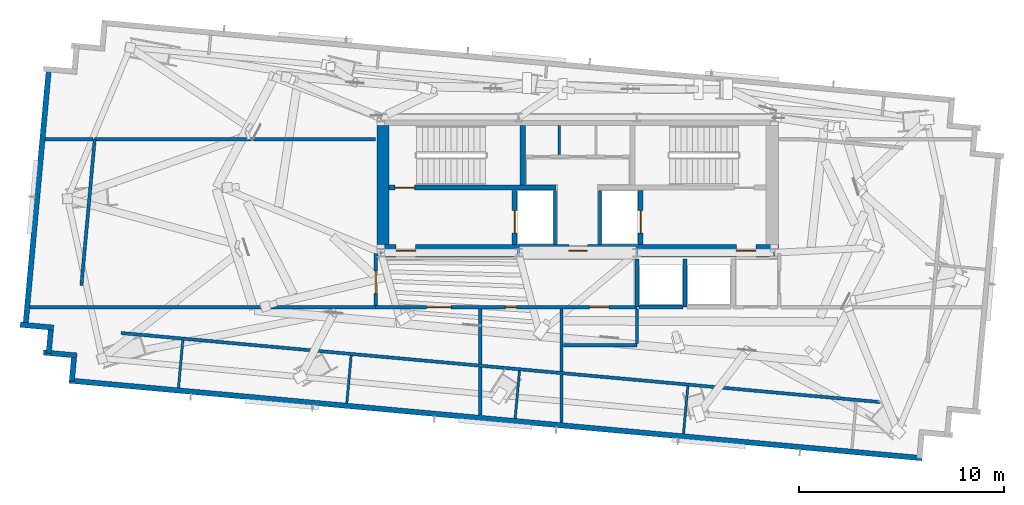
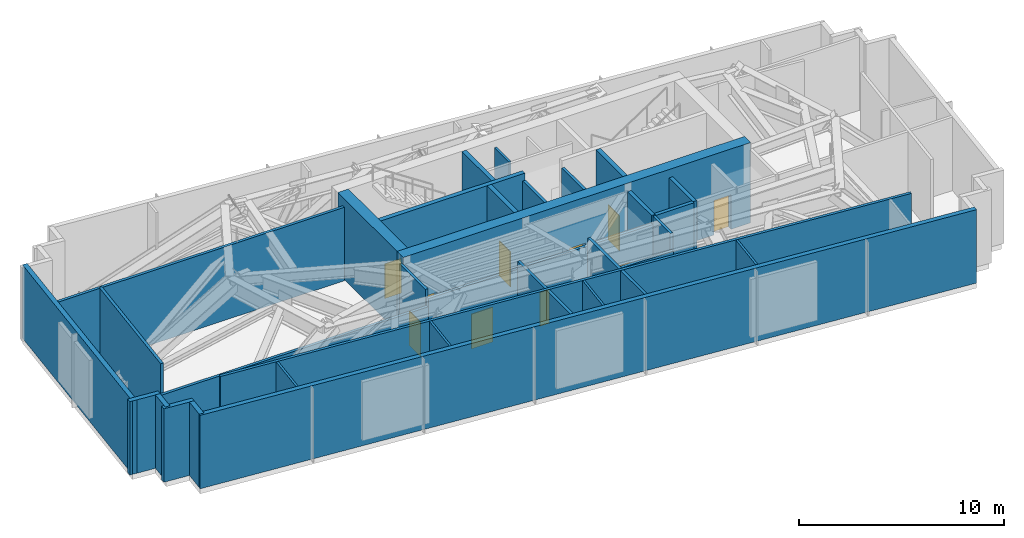
# One storey, part 5 of 9: 35 walls, 10 doors, 10 openings.
"""IFC4 building model written with IfcOpenShell, lengths in metres."""

from ifc_helpers import new_model, si_unit, direction, frame, frame_2d, origin, place, context, subcontext, project, spatial, rectangle, extrude, source, transform, mapped, material, layer, layer_set, type_object, type_shapes, element, fill, save


model = new_model("IFC4")

# Units and contexts
model_context = context("Model", 3, precision=1e-05, world=origin(), true_north=direction((0.0, 1.0)))
body_context = subcontext(model_context, "Body", "Model", "MODEL_VIEW")
ifc_project = project(units=[si_unit("LENGTHUNIT", "METRE"), si_unit("AREAUNIT", "SQUARE_METRE"), si_unit("VOLUMEUNIT", "CUBIC_METRE"), si_unit("PLANEANGLEUNIT", "RADIAN"), si_unit("MASSUNIT", "GRAM", prefix="KILO")], contexts=[model_context])

# Site, building, storey
site_placement = place(None, origin())
site = spatial("IfcSite", under=ifc_project, at=site_placement, CompositionType="ELEMENT")
building_placement = place(site_placement, origin())
building = spatial("IfcBuilding", under=site, at=building_placement, Name="Astriad Promenade Condominiums", CompositionType="ELEMENT")
storey_placement = place(building_placement, frame((0.0, 0.0, 259.5)))
storey = spatial("IfcBuildingStorey", under=building, at=storey_placement, Name="L75", CompositionType="ELEMENT", Elevation=259.5)

# Wall, openings, doors
ifc_material_1 = material(Name="Concrete C50/60", Category="concrete")
ifc_layer_1 = layer(ifc_material_1, 0.60009765625)
ifc_layer_set_1 = layer_set([ifc_layer_1], Name="Concrete C50/60")
wall_type_1 = type_object("IfcWallType", Name="CW-SHEAR-600", PredefinedType="SHEAR", material=ifc_layer_set_1)
wall_1_placement = place(storey_placement, frame((26.199951171875, 17.5, 0.0), z_axis=(0.0, 0.0, 1.0), x_axis=(1.0, 0.0, 0.0)))
wall_1 = element("IfcWall", 1, at=wall_1_placement, inside=storey, type_object=wall_type_1, Name="CW-CORE-S-L75", PredefinedType="SHEAR", context=body_context, shape_type="SweptSolid", body=[
    extrude(rectangle(XDim=19.60009765625, YDim=0.60009765625, at=frame_2d((9.800048828125, 0.0))), origin(), (0.0, 0.0, 1.0), 4.800048828125),
])
opening_1_placement = place(wall_1_placement, frame((0.949951171875, 0.0, 0.0)))
opening_1 = element("IfcOpeningElement", 2, at=opening_1_placement, cuts=wall_1, Name="Opening FD90-ST-095", PredefinedType="OPENING", context=body_context, shape_type="SweptSolid", body=[
    extrude(rectangle(XDim=0.949951171875, YDim=2.06005859375, at=frame_2d((0.47509765625, 1.030029296875))), frame((0.0, 0.31005859375, 0.0), z_axis=(0.0, -1.0, 0.0), x_axis=(1.0, 0.0, 0.0)), (0.0, 0.0, 1.0), 0.6201171875),
])
opening_2_placement = place(wall_1_placement, frame((9.3798828125, 0.0, 0.0)))
opening_2 = element("IfcOpeningElement", 3, at=opening_2_placement, cuts=wall_1, Name="Opening FD60-CSL-090", PredefinedType="OPENING", context=body_context, shape_type="SweptSolid", body=[
    extrude(rectangle(XDim=0.89990234375, YDim=2.06005859375, at=frame_2d((0.449951171875, 1.030029296875))), frame((0.0, 0.31005859375, 0.0), z_axis=(0.0, -1.0, 0.0), x_axis=(1.0, 0.0, 0.0)), (0.0, 0.0, 1.0), 0.6201171875),
])
opening_3_placement = place(wall_1_placement, frame((17.550048828125, 0.0, 0.0)))
opening_3 = element("IfcOpeningElement", 4, at=opening_3_placement, cuts=wall_1, Name="Opening FD90-ST-095", PredefinedType="OPENING", context=body_context, shape_type="SweptSolid", body=[
    extrude(rectangle(XDim=0.949951171875, YDim=2.06005859375, at=frame_2d((0.47509765625, 1.030029296875))), frame((0.0, 0.31005859375, 0.0), z_axis=(0.0, -1.0, 0.0), x_axis=(1.0, 0.0, 0.0)), (0.0, 0.0, 1.0), 0.6201171875),
])
ifc_material_2 = material(Name="Fire-Rated Hollow Metal Stair Door")
door_type_1 = type_object("IfcDoorType", Name="FD90-ST-095", OperationType="NOTDEFINED", PredefinedType="DOOR", material=ifc_material_2)
shared_shape_1 = source(origin(), body_context, "Body", "SweptSolid", [
    extrude(rectangle(XDim=0.949951171875, YDim=2.06005859375, at=frame_2d((0.47509765625, 1.030029296875))), frame((0.0, 0.02490234375, 0.0), z_axis=(0.0, -1.0, 0.0), x_axis=(1.0, 0.0, 0.0)), (0.0, 0.0, 1.0), 0.050048828125),
])
type_shapes(door_type_1, [shared_shape_1])
door_1_placement = place(opening_1_placement, origin())
door_1 = element("IfcDoor", 5, at=door_1_placement, inside=storey, type_object=door_type_1, Name="D-FFW-L75", OperationType="SINGLE_SWING_LEFT", OverallHeight=2.06005859375, OverallWidth=0.949951171875, PredefinedType="DOOR", context=body_context, shape_type="MappedRepresentation", body=[
    mapped(shared_shape_1, transform((0.0, 0.0, 0.0), scale=1.0)),
])
fill(opening_1, door_1)
door_2_placement = place(opening_3_placement, origin())
door_2 = element("IfcDoor", 6, at=door_2_placement, inside=storey, type_object=door_type_1, Name="D-FFE-L75", OperationType="SINGLE_SWING_RIGHT", OverallHeight=2.06005859375, OverallWidth=0.949951171875, PredefinedType="DOOR", context=body_context, shape_type="MappedRepresentation", body=[
    mapped(shared_shape_1, transform((0.0, 0.0, 0.0), scale=1.0)),
])
fill(opening_3, door_2)
ifc_material_3 = material(Name="Fire-Rated Service Lobby Door")
door_type_2 = type_object("IfcDoorType", Name="FD60-CSL-090", OperationType="NOTDEFINED", PredefinedType="DOOR", material=ifc_material_3)
shared_shape_2 = source(origin(), body_context, "Body", "SweptSolid", [
    extrude(rectangle(XDim=0.89990234375, YDim=2.06005859375, at=frame_2d((0.449951171875, 1.030029296875))), frame((0.0, 0.02490234375, 0.0), z_axis=(0.0, -1.0, 0.0), x_axis=(1.0, 0.0, 0.0)), (0.0, 0.0, 1.0), 0.050048828125),
])
type_shapes(door_type_2, [shared_shape_2])
door_3_placement = place(opening_2_placement, origin())
door_3 = element("IfcDoor", 7, at=door_3_placement, inside=storey, type_object=door_type_2, Name="D-CSL-L75", OperationType="SINGLE_SWING_RIGHT", OverallHeight=2.06005859375, OverallWidth=0.89990234375, PredefinedType="DOOR", context=body_context, shape_type="MappedRepresentation", body=[
    mapped(shared_shape_2, transform((0.0, 0.0, 0.0), scale=1.0)),
])
fill(opening_2, door_3)

# Wall
wall_2_placement = place(storey_placement, frame((26.5, 17.802001953125, 0.0), z_axis=(0.0, 0.0, 1.0), x_axis=(0.0, 1.0, 0.0)))
element("IfcWall", 8, at=wall_2_placement, inside=storey, type_object=wall_type_1, Name="CW-CORE-W-L75", PredefinedType="SHEAR", context=body_context, shape_type="SweptSolid", body=[
    extrude(rectangle(XDim=5.7958984375, YDim=0.60009765625, at=frame_2d((2.89794921875, 0.0))), origin(), (0.0, 0.0, 1.0), 4.800048828125),
])

# Wall, opening, door
ifc_layer_2 = layer(ifc_material_1, 0.25)
ifc_layer_set_2 = layer_set([ifc_layer_2], Name="Concrete C50/60")
wall_type_2 = type_object("IfcWallType", Name="WALL-CORE-INT-250", PredefinedType="SOLIDWALL", material=ifc_layer_set_2)
wall_3_placement = place(storey_placement, frame((26.802001953125, 20.574951171875, 0.0), z_axis=(0.0, 0.0, 1.0), x_axis=(1.0, 0.0, 0.0)))
wall_3 = element("IfcWall", 9, at=wall_3_placement, inside=storey, type_object=wall_type_2, Name="CW-INT-H1-L75", PredefinedType="SOLIDWALL", context=body_context, shape_type="SweptSolid", body=[
    extrude(rectangle(XDim=8.14794921875, YDim=0.25, at=frame_2d((4.073974609375, 0.0))), origin(), (0.0, 0.0, 1.0), 4.800048828125),
])
opening_4_placement = place(wall_3_placement, frame((0.298095703125, 0.0, 0.0)))
opening_4 = element("IfcOpeningElement", 10, at=opening_4_placement, cuts=wall_3, Name="Opening FD90-ST-095", PredefinedType="OPENING", context=body_context, shape_type="SweptSolid", body=[
    extrude(rectangle(XDim=0.949951171875, YDim=2.06005859375, at=frame_2d((0.47509765625, 1.030029296875))), frame((0.0, 0.135009765625, 0.0), z_axis=(0.0, -1.0, 0.0), x_axis=(1.0, 0.0, 0.0)), (0.0, 0.0, 1.0), 0.27001953125),
])
door_4_placement = place(opening_4_placement, origin())
door_4 = element("IfcDoor", 11, at=door_4_placement, inside=storey, type_object=door_type_1, Name="D-ST1-L75", OperationType="SINGLE_SWING_RIGHT", OverallHeight=2.06005859375, OverallWidth=0.949951171875, PredefinedType="DOOR", context=body_context, shape_type="MappedRepresentation", body=[
    mapped(shared_shape_1, transform((0.0, 0.0, 0.0), scale=1.0)),
])
fill(opening_4, door_4)

# Wall
wall_4_placement = place(storey_placement, frame((33.324951171875, 20.701904296875, 0.0), z_axis=(0.0, 0.0, 1.0), x_axis=(0.0, 1.0, 0.0)))
element("IfcWall", 12, at=wall_4_placement, inside=storey, type_object=wall_type_2, Name="CW-ST1-E-L75", PredefinedType="SOLIDWALL", context=body_context, shape_type="SweptSolid", body=[
    extrude(rectangle(XDim=2.89599609375, YDim=0.25, at=frame_2d((1.447998046875, 0.0))), origin(), (0.0, 0.0, 1.0), 4.800048828125),
])

# Wall, opening, door
wall_5_placement = place(storey_placement, frame((32.925048828125, 17.802001953125, 0.0), z_axis=(0.0, 0.0, 1.0), x_axis=(0.0, 1.0, 0.0)))
wall_5 = element("IfcWall", 13, at=wall_5_placement, inside=storey, type_object=wall_type_2, Name="CW-FFL1-W-L75", PredefinedType="SOLIDWALL", context=body_context, shape_type="SweptSolid", body=[
    extrude(rectangle(XDim=2.64599609375, YDim=0.25, at=frame_2d((1.322998046875, 0.0))), origin(), (0.0, 0.0, 1.0), 4.800048828125),
])
opening_5_placement = place(wall_5_placement, frame((0.548095703125, 0.0, 0.0)))
opening_5 = element("IfcOpeningElement", 14, at=opening_5_placement, cuts=wall_5, Name="Opening LD-FFL-1122", PredefinedType="OPENING", context=body_context, shape_type="SweptSolid", body=[
    extrude(rectangle(XDim=1.10009765625, YDim=2.080078125, at=frame_2d((0.550048828125, 1.0400390625))), frame((0.0, 0.135009765625, 0.0), z_axis=(0.0, -1.0, 0.0), x_axis=(1.0, 0.0, 0.0)), (0.0, 0.0, 1.0), 0.27001953125),
])
ifc_material_4 = material(Name="Brushed Stainless Steel Fire Elevator Landing Door", Category="steel")
door_type_3 = type_object("IfcDoorType", Name="LD-FFL-1122", OperationType="NOTDEFINED", PredefinedType="DOOR", material=ifc_material_4)
shared_shape_3 = source(origin(), body_context, "Body", "SweptSolid", [
    extrude(rectangle(XDim=1.10009765625, YDim=2.080078125, at=frame_2d((0.550048828125, 1.0400390625))), frame((0.0, 0.02490234375, 0.0), z_axis=(0.0, -1.0, 0.0), x_axis=(1.0, 0.0, 0.0)), (0.0, 0.0, 1.0), 0.050048828125),
])
type_shapes(door_type_3, [shared_shape_3])
door_5_placement = place(opening_5_placement, origin())
door_5 = element("IfcDoor", 15, at=door_5_placement, inside=storey, type_object=door_type_3, Name="Elevator Landing Door FFL-1 (L75)", OperationType="SLIDING_TO_LEFT", OverallHeight=2.080078125, OverallWidth=1.10009765625, PredefinedType="DOOR", context=body_context, shape_type="MappedRepresentation", body=[
    mapped(shared_shape_3, transform((0.0, 0.0, 0.0), scale=1.0)),
])
fill(opening_5, door_5)

wall_6_placement = place(storey_placement, frame((39.074951171875, 17.802001953125, 0.0), z_axis=(0.0, 0.0, 1.0), x_axis=(0.0, 1.0, 0.0)))
wall_6 = element("IfcWall", 16, at=wall_6_placement, inside=storey, type_object=wall_type_2, Name="CW-FFL2-E-L75", PredefinedType="SOLIDWALL", context=body_context, shape_type="SweptSolid", body=[
    extrude(rectangle(XDim=2.64599609375, YDim=0.25, at=frame_2d((1.322998046875, 0.0))), origin(), (0.0, 0.0, 1.0), 4.800048828125),
])
opening_6_placement = place(wall_6_placement, frame((0.548095703125, 0.0, 0.0)))
opening_6 = element("IfcOpeningElement", 17, at=opening_6_placement, cuts=wall_6, Name="Opening LD-FFL-1122", PredefinedType="OPENING", context=body_context, shape_type="SweptSolid", body=[
    extrude(rectangle(XDim=1.10009765625, YDim=2.080078125, at=frame_2d((0.550048828125, 1.0400390625))), frame((0.0, 0.135009765625, 0.0), z_axis=(0.0, -1.0, 0.0), x_axis=(1.0, 0.0, 0.0)), (0.0, 0.0, 1.0), 0.27001953125),
])
door_6_placement = place(opening_6_placement, origin())
door_6 = element("IfcDoor", 18, at=door_6_placement, inside=storey, type_object=door_type_3, Name="Elevator Landing Door FFL-2 (L75)", OperationType="SLIDING_TO_RIGHT", OverallHeight=2.080078125, OverallWidth=1.10009765625, PredefinedType="DOOR", context=body_context, shape_type="MappedRepresentation", body=[
    mapped(shared_shape_3, transform((0.0, 0.0, 0.0), scale=1.0)),
])
fill(opening_6, door_6)

# Walls
ifc_material_5 = material(Name="Fire-Rated Gypsum Partition")
ifc_layer_3 = layer(ifc_material_5, 0.159912109375)
ifc_layer_set_3 = layer_set([ifc_layer_3], Name="Fire-Rated Gypsum Partition")
wall_type_3 = type_object("IfcWallType", Name="WALL-CORR-160", PredefinedType="PARTITIONING", material=ifc_layer_set_3)
for number, where, z_axis, x_axis, name in (
    (19, (34.89990234375, 17.802001953125, 0.0), (0.0, 0.0, 1.0), (0.0, 1.0, 0.0), "CW-FFL1-E-L75"),
    (20, (37.10009765625, 17.802001953125, 0.0), (0.0, 0.0, 1.0), (0.0, 1.0, 0.0), "CW-FFL2-W-L75"),
):
    element("IfcWall", number, at=place(storey_placement, frame(where, z_axis=z_axis, x_axis=x_axis)), inside=storey, type_object=wall_type_3, Name=name, PredefinedType="PARTITIONING", context=body_context, shape_type="SweptSolid", body=[
        extrude(rectangle(XDim=2.64599609375, YDim=0.159912109375, at=frame_2d((1.322998046875, 0.0))), origin(), (0.0, 0.0, 1.0), 4.3798828125),
    ])
wall_7_placement = place(storey_placement, frame((11.783935546875, 15.799072265625, 0.0), z_axis=(0.0, 0.0, 1.0), x_axis=(0.090670822369, 0.995880917565, 0.0)))
element("IfcWall", 21, at=wall_7_placement, inside=storey, type_object=wall_type_3, Name="PT-L75-BTR-01", PredefinedType="PARTITIONING", context=body_context, shape_type="SweptSolid", body=[
    extrude(rectangle(XDim=7.17041015625, YDim=0.159912109375, at=frame_2d((3.585205078125, 0.0))), origin(), (0.0, 0.0, 1.0), 4.3798828125),
])
wall_8_placement = place(storey_placement, frame((50.756103515625, 10.110107421875, 0.0), z_axis=(0.0, 0.0, 1.0), x_axis=(-0.995884755063, 0.090628663414, 0.0)))
element("IfcWall", 22, at=wall_8_placement, inside=storey, type_object=wall_type_3, Name="PT-L75-BTR-04", PredefinedType="PARTITIONING", context=body_context, shape_type="SweptSolid", body=[
    extrude(rectangle(XDim=37.194091796875, YDim=0.159912109375, at=frame_2d((18.59716796875, 0.0))), origin(), (0.0, 0.0, 1.0), 4.3798828125),
])
wall_9_placement = place(storey_placement, frame((10.01611328125, 22.93994140625, 0.0), z_axis=(0.0, 0.0, 1.0), x_axis=(1.0, 0.0, 0.0)))
element("IfcWall", 23, at=wall_9_placement, inside=storey, type_object=wall_type_3, Name="PT-L75-OUTW", PredefinedType="PARTITIONING", context=body_context, shape_type="SweptSolid", body=[
    extrude(rectangle(XDim=2.335693359375, YDim=0.159912109375, at=frame_2d((1.16796875, 0.0))), origin(), (0.0, 0.0, 1.0), 4.3798828125),
])
wall_10_placement = place(storey_placement, frame((12.43408203125, 22.93994140625, 0.0), z_axis=(0.0, 0.0, 1.0), x_axis=(1.0, 0.0, 0.0)))
element("IfcWall", 24, at=wall_10_placement, inside=storey, type_object=wall_type_3, Name="PT-L75-OUTW-S2", PredefinedType="PARTITIONING", context=body_context, shape_type="SweptSolid", body=[
    extrude(rectangle(XDim=13.7158203125, YDim=0.159912109375, at=frame_2d((6.85791015625, 0.0))), origin(), (0.0, 0.0, 1.0), 4.3798828125),
])

# Wall, openings, doors
wall_11_placement = place(storey_placement, frame((26.14990234375, 14.739990234375, 0.0), z_axis=(0.0, 0.0, 1.0), x_axis=(1.0, 0.0, 0.0)))
wall_11 = element("IfcWall", 25, at=wall_11_placement, inside=storey, type_object=wall_type_3, Name="PT-L75-PCS", PredefinedType="PARTITIONING", context=body_context, shape_type="SweptSolid", body=[
    extrude(rectangle(XDim=12.75, YDim=0.159912109375, at=frame_2d((6.375, 0.0))), origin(), (0.0, 0.0, 1.0), 3.89599609375),
])
opening_7_placement = place(wall_11_placement, frame((2.47998046875, 0.0, 0.0)))
opening_7 = element("IfcOpeningElement", 26, at=opening_7_placement, cuts=wall_11, Name="Opening FD90-PLT-1222", PredefinedType="OPENING", context=body_context, shape_type="SweptSolid", body=[
    extrude(rectangle(XDim=1.199951171875, YDim=2.080078125, at=frame_2d((0.60009765625, 1.0400390625))), frame((0.0, 0.08984375, 0.0), z_axis=(0.0, -1.0, 0.0), x_axis=(1.0, 0.0, 0.0)), (0.0, 0.0, 1.0), 0.179931640625),
])
opening_8_placement = place(wall_11_placement, frame((6.324951171875, 0.0, 0.0)))
opening_8 = element("IfcOpeningElement", 27, at=opening_8_placement, cuts=wall_11, Name="Opening FD60-AC-055", PredefinedType="OPENING", context=body_context, shape_type="SweptSolid", body=[
    extrude(rectangle(XDim=0.550048828125, YDim=2.02001953125, at=frame_2d((0.27490234375, 1.010009765625))), frame((0.0, 0.08984375, 0.0), z_axis=(0.0, -1.0, 0.0), x_axis=(1.0, 0.0, 0.0)), (0.0, 0.0, 1.0), 0.179931640625),
])
opening_9_placement = place(wall_11_placement, frame((10.425048828125, 0.0, 0.0)))
opening_9 = element("IfcOpeningElement", 28, at=opening_9_placement, cuts=wall_11, Name="Opening D-WET-095", PredefinedType="OPENING", context=body_context, shape_type="SweptSolid", body=[
    extrude(rectangle(XDim=0.949951171875, YDim=2.10009765625, at=frame_2d((0.47509765625, 1.050048828125))), frame((0.0, 0.08984375, 0.0), z_axis=(0.0, -1.0, 0.0), x_axis=(1.0, 0.0, 0.0)), (0.0, 0.0, 1.0), 0.179931640625),
])
ifc_material_6 = material(Name="Fire-Rated Double-Insulated Plant Door")
door_type_4 = type_object("IfcDoorType", Name="FD90-PLT-1222", OperationType="NOTDEFINED", PredefinedType="DOOR", material=ifc_material_6)
shared_shape_4 = source(origin(), body_context, "Body", "SweptSolid", [
    extrude(rectangle(XDim=1.199951171875, YDim=2.080078125, at=frame_2d((0.60009765625, 1.0400390625))), frame((0.0, 0.02490234375, 0.0), z_axis=(0.0, -1.0, 0.0), x_axis=(1.0, 0.0, 0.0)), (0.0, 0.0, 1.0), 0.050048828125),
])
type_shapes(door_type_4, [shared_shape_4])
door_7_placement = place(opening_7_placement, origin())
door_7 = element("IfcDoor", 29, at=door_7_placement, inside=storey, type_object=door_type_4, Name="D-L75-PL1", OperationType="SINGLE_SWING_LEFT", OverallHeight=2.080078125, OverallWidth=1.199951171875, PredefinedType="DOOR", context=body_context, shape_type="MappedRepresentation", body=[
    mapped(shared_shape_4, transform((0.0, 0.0, 0.0), scale=1.0)),
])
fill(opening_7, door_7)
ifc_material_7 = material(Name="Accessible Restroom Timber Door", Category="wood")
door_type_5 = type_object("IfcDoorType", Name="D-WET-095", OperationType="NOTDEFINED", PredefinedType="DOOR", material=ifc_material_7)
shared_shape_5 = source(origin(), body_context, "Body", "SweptSolid", [
    extrude(rectangle(XDim=0.949951171875, YDim=2.10009765625, at=frame_2d((0.47509765625, 1.050048828125))), frame((0.0, 0.02490234375, 0.0), z_axis=(0.0, -1.0, 0.0), x_axis=(1.0, 0.0, 0.0)), (0.0, 0.0, 1.0), 0.050048828125),
])
type_shapes(door_type_5, [shared_shape_5])
door_8_placement = place(opening_9_placement, origin())
door_8 = element("IfcDoor", 30, at=door_8_placement, inside=storey, type_object=door_type_5, Name="D-L75-AWC", OperationType="SINGLE_SWING_LEFT", OverallHeight=2.10009765625, OverallWidth=0.949951171875, PredefinedType="DOOR", context=body_context, shape_type="MappedRepresentation", body=[
    mapped(shared_shape_5, transform((0.0, 0.0, 0.0), scale=1.0)),
])
fill(opening_9, door_8)
ifc_material_8 = material(Name="Fire-Rated Duct Access Door")
door_type_6 = type_object("IfcDoorType", Name="FD60-AC-055", OperationType="NOTDEFINED", PredefinedType="DOOR", material=ifc_material_8)
shared_shape_6 = source(origin(), body_context, "Body", "SweptSolid", [
    extrude(rectangle(XDim=0.550048828125, YDim=2.02001953125, at=frame_2d((0.27490234375, 1.010009765625))), frame((0.0, 0.02490234375, 0.0), z_axis=(0.0, -1.0, 0.0), x_axis=(1.0, 0.0, 0.0)), (0.0, 0.0, 1.0), 0.050048828125),
])
type_shapes(door_type_6, [shared_shape_6])
door_9_placement = place(opening_8_placement, origin())
door_9 = element("IfcDoor", 31, at=door_9_placement, inside=storey, type_object=door_type_6, Name="D-L75-PL2", OperationType="SINGLE_SWING_RIGHT", OverallHeight=2.02001953125, OverallWidth=0.550048828125, PredefinedType="DOOR", context=body_context, shape_type="MappedRepresentation", body=[
    mapped(shared_shape_6, transform((0.0, 0.0, 0.0), scale=1.0)),
])
fill(opening_8, door_9)

# Wall, opening, door
wall_12_placement = place(storey_placement, frame((26.14990234375, 14.822021484375, 0.0), z_axis=(0.0, 0.0, 1.0), x_axis=(0.0, 1.0, 0.0)))
wall_12 = element("IfcWall", 32, at=wall_12_placement, inside=storey, type_object=wall_type_3, Name="PT-L75-PCW", PredefinedType="PARTITIONING", context=body_context, shape_type="SweptSolid", body=[
    extrude(rectangle(XDim=2.528076171875, YDim=0.159912109375, at=frame_2d((1.26416015625, 0.0))), origin(), (0.0, 0.0, 1.0), 4.3798828125),
])
opening_10_placement = place(wall_12_placement, frame((0.577880859375, 0.0, 0.0)))
opening_10 = element("IfcOpeningElement", 33, at=opening_10_placement, cuts=wall_12, Name="Opening FD90-REF-1121", PredefinedType="OPENING", context=body_context, shape_type="SweptSolid", body=[
    extrude(rectangle(XDim=1.10009765625, YDim=2.06005859375, at=frame_2d((0.550048828125, 1.030029296875))), frame((0.0, 0.08984375, 0.0), z_axis=(0.0, -1.0, 0.0), x_axis=(1.0, 0.0, 0.0)), (0.0, 0.0, 1.0), 0.179931640625),
])
ifc_material_9 = material(Name="Fire-Rated Refuge Door")
door_type_7 = type_object("IfcDoorType", Name="FD90-REF-1121", OperationType="NOTDEFINED", PredefinedType="DOOR", material=ifc_material_9)
shared_shape_7 = source(origin(), body_context, "Body", "SweptSolid", [
    extrude(rectangle(XDim=1.10009765625, YDim=2.06005859375, at=frame_2d((0.550048828125, 1.030029296875))), frame((0.0, 0.02490234375, 0.0), z_axis=(0.0, -1.0, 0.0), x_axis=(1.0, 0.0, 0.0)), (0.0, 0.0, 1.0), 0.050048828125),
])
type_shapes(door_type_7, [shared_shape_7])
door_10_placement = place(opening_10_placement, origin())
door_10 = element("IfcDoor", 34, at=door_10_placement, inside=storey, type_object=door_type_7, Name="D-L75-REFW", OperationType="SINGLE_SWING_LEFT", OverallHeight=2.06005859375, OverallWidth=1.10009765625, PredefinedType="DOOR", context=body_context, shape_type="MappedRepresentation", body=[
    mapped(shared_shape_7, transform((0.0, 0.0, 0.0), scale=1.0)),
])
fill(opening_10, door_10)

# Walls
wall_13_placement = place(storey_placement, frame((9.269775390625, 14.739990234375, 0.0), z_axis=(0.0, 0.0, 1.0), x_axis=(1.0, 0.0, 0.0)))
element("IfcWall", 35, at=wall_13_placement, inside=storey, type_object=wall_type_3, Name="PT-L75-PCNW", PredefinedType="PARTITIONING", context=body_context, shape_type="SweptSolid", body=[
    extrude(rectangle(XDim=16.880126953125, YDim=0.159912109375, at=frame_2d((8.43994140625, 0.0))), origin(), (0.0, 0.0, 1.0), 3.413818359375),
])
wall_14_placement = place(storey_placement, frame((31.25, 9.46728515625, 0.0), z_axis=(0.0, 0.0, 1.0), x_axis=(0.0, 1.0, 0.0)))
element("IfcWall", 36, at=wall_14_placement, inside=storey, type_object=wall_type_3, Name="PT-L75-PV1", PredefinedType="PARTITIONING", context=body_context, shape_type="SweptSolid", body=[
    extrude(rectangle(XDim=2.33544921875, YDim=0.159912109375, at=frame_2d((1.167724609375, 0.0))), origin(), (0.0, 0.0, 1.0), 4.3798828125),
])
wall_15_placement = place(storey_placement, frame((31.25, 11.967529296875, 0.0), z_axis=(0.0, 0.0, 1.0), x_axis=(0.0, 1.0, 0.0)))
element("IfcWall", 37, at=wall_15_placement, inside=storey, type_object=wall_type_3, Name="PT-L75-PV1-S2", PredefinedType="PARTITIONING", context=body_context, shape_type="SweptSolid", body=[
    extrude(rectangle(XDim=2.6904296875, YDim=0.159912109375, at=frame_2d((1.34521484375, 0.0))), origin(), (0.0, 0.0, 1.0), 4.3798828125),
])
wall_16_placement = place(storey_placement, frame((35.219970703125, 9.106201171875, 0.0), z_axis=(0.0, 0.0, 1.0), x_axis=(0.0, 1.0, 0.0)))
element("IfcWall", 38, at=wall_16_placement, inside=storey, type_object=wall_type_3, Name="PT-L75-PV2", PredefinedType="PARTITIONING", context=body_context, shape_type="SweptSolid", body=[
    extrude(rectangle(XDim=2.335205078125, YDim=0.159912109375, at=frame_2d((1.16748046875, 0.0))), origin(), (0.0, 0.0, 1.0), 4.3798828125),
])
wall_17_placement = place(storey_placement, frame((35.219970703125, 11.606201171875, 0.0), z_axis=(0.0, 0.0, 1.0), x_axis=(0.0, 1.0, 0.0)))
element("IfcWall", 39, at=wall_17_placement, inside=storey, type_object=wall_type_3, Name="PT-L75-PV2-S2", PredefinedType="PARTITIONING", context=body_context, shape_type="SweptSolid", body=[
    extrude(rectangle(XDim=3.0517578125, YDim=0.159912109375, at=frame_2d((1.52587890625, 0.0))), origin(), (0.0, 0.0, 1.0), 4.3798828125),
])
wall_18_placement = place(storey_placement, frame((35.302001953125, 12.8798828125, 0.0), z_axis=(0.0, 0.0, 1.0), x_axis=(1.0, 0.0, 0.0)))
element("IfcWall", 40, at=wall_18_placement, inside=storey, type_object=wall_type_3, Name="PT-L75-AWCS", PredefinedType="PARTITIONING", context=body_context, shape_type="SweptSolid", body=[
    extrude(rectangle(XDim=3.597900390625, YDim=0.159912109375, at=frame_2d((1.798828125, 0.0))), origin(), (0.0, 0.0, 1.0), 3.413818359375),
])
wall_19_placement = place(storey_placement, frame((38.89990234375, 12.9619140625, 0.0), z_axis=(0.0, 0.0, 1.0), x_axis=(0.0, 1.0, 0.0)))
element("IfcWall", 41, at=wall_19_placement, inside=storey, type_object=wall_type_3, Name="PT-L75-AWCE", PredefinedType="PARTITIONING", context=body_context, shape_type="SweptSolid", body=[
    extrude(rectangle(XDim=1.696044921875, YDim=0.159912109375, at=frame_2d((0.84814453125, 0.0))), origin(), (0.0, 0.0, 1.0), 4.3798828125),
])
ifc_material_10 = material(Name="Precast concrete C50/60", Category="concrete")
ifc_layer_4 = layer(ifc_material_10, 0.260009765625)
ifc_layer_set_4 = layer_set([ifc_layer_4], Name="Precast concrete C50/60")
wall_type_4 = type_object("IfcWallType", Name="WALL-EXT-TWR-260", PredefinedType="STANDARD", material=ifc_layer_set_4)
wall_20_placement = place(storey_placement, frame((11.5634765625, 12.381591796875, 0.0), z_axis=(0.0, 0.0, 1.0), x_axis=(-0.995882217569, 0.090656542676, 0.0)))
element("IfcWall", 42, at=wall_20_placement, inside=storey, type_object=wall_type_4, Name="W-SER-L75-00", PredefinedType="STANDARD", context=body_context, shape_type="SweptSolid", body=[
    extrude(rectangle(XDim=1.64013671875, YDim=0.260009765625, at=frame_2d((0.820068359375, 0.0))), origin(), (0.0, 0.0, 1.0), 4.3798828125),
])
wall_21_placement = place(storey_placement, frame((10.187744140625, 12.49169921875, 0.0), z_axis=(0.0, 0.0, 1.0), x_axis=(0.090650594353, 0.995882759035, 0.0)))
element("IfcWall", 43, at=wall_21_placement, inside=storey, type_object=wall_type_4, Name="W-SER-L75-01", PredefinedType="STANDARD", context=body_context, shape_type="SweptSolid", body=[
    extrude(rectangle(XDim=1.14990234375, YDim=0.260009765625, at=frame_2d((0.574951171875, 0.0))), origin(), (0.0, 0.0, 1.0), 4.3798828125),
])
wall_22_placement = place(storey_placement, frame((10.431884765625, 13.739990234375, 0.0), z_axis=(0.0, 0.0, 1.0), x_axis=(-0.995895646488, 0.090508901803, 0.0)))
element("IfcWall", 44, at=wall_22_placement, inside=storey, type_object=wall_type_4, Name="W-SER-L75-02", PredefinedType="STANDARD", context=body_context, shape_type="SweptSolid", body=[
    extrude(rectangle(XDim=1.64013671875, YDim=0.260009765625, at=frame_2d((0.820068359375, 0.0))), origin(), (0.0, 0.0, 1.0), 4.3798828125),
])
wall_23_placement = place(storey_placement, frame((9.0458984375, 13.7353515625, 0.0), z_axis=(0.0, 0.0, 1.0), x_axis=(0.090618293425, 0.995885698711, 0.0)))
element("IfcWall", 45, at=wall_23_placement, inside=storey, type_object=wall_type_4, Name="W-PLT-L75-W", PredefinedType="STANDARD", context=body_context, shape_type="SweptSolid", body=[
    extrude(rectangle(XDim=12.800048828125, YDim=0.260009765625, at=frame_2d((6.39990234375, 0.0))), origin(), (0.0, 0.0, 1.0), 4.3798828125),
])
wall_24_placement = place(storey_placement, frame((52.819091796875, 7.371826171875, 0.0), z_axis=(0.0, 0.0, 1.0), x_axis=(-0.995884105287, 0.090635803281, 0.0)))
element("IfcWall", 46, at=wall_24_placement, inside=storey, type_object=wall_type_4, Name="W-PLT-L75-S", PredefinedType="STANDARD", context=body_context, shape_type="SweptSolid", body=[
    extrude(rectangle(XDim=41.800048828125, YDim=0.260009765625, at=frame_2d((20.89990234375, 0.0))), origin(), (0.0, 0.0, 1.0), 4.3798828125),
])
wall_25_placement = place(storey_placement, frame((11.3193359375, 11.133544921875, 0.0), z_axis=(0.0, 0.0, 1.0), x_axis=(0.090650594353, 0.995882759035, 0.0)))
element("IfcWall", 47, at=wall_25_placement, inside=storey, type_object=wall_type_4, Name="W-SER-L75-19", PredefinedType="STANDARD", context=body_context, shape_type="SweptSolid", body=[
    extrude(rectangle(XDim=1.14990234375, YDim=0.260009765625, at=frame_2d((0.574951171875, 0.0))), origin(), (0.0, 0.0, 1.0), 4.3798828125),
])
ifc_material_11 = material(Name="Acoustic Metal-Stud Gypsum Partition")
ifc_layer_5 = layer(ifc_material_11, 0.1201171875)
ifc_layer_set_5 = layer_set([ifc_layer_5], Name="Acoustic Metal-Stud Gypsum Partition")
wall_type_5 = type_object("IfcWallType", Name="WALL-PART-120", PredefinedType="PARTITIONING", material=ifc_layer_set_5)
wall_26_placement = place(storey_placement, frame((35.10009765625, 22.181884765625, 0.0), z_axis=(0.0, 0.0, 1.0), x_axis=(0.0, 1.0, 0.0)))
element("IfcWall", 48, at=wall_26_placement, inside=storey, type_object=wall_type_5, Name="CW-AUX-V1-L75", PredefinedType="PARTITIONING", context=body_context, shape_type="SweptSolid", body=[
    extrude(rectangle(XDim=1.416015625, YDim=0.1201171875, at=frame_2d((0.7080078125, 0.0))), origin(), (0.0, 0.0, 1.0), 4.3798828125),
])
for number, where, z_axis, x_axis, name in (
    (49, (16.7333984375, 13.1240234375, 0.0), (0.0, 0.0, 1.0), (-0.090583065324, -0.995888903581, 0.0), "PT-PIL-L75-PC01-8"),
    (50, (24.94970703125, 12.376220703125, 0.0), (0.0, 0.0, 1.0), (-0.090687165582, -0.995879429449, 0.0), "PT-PIL-L75-PC02-9"),
):
    element("IfcWall", number, at=place(storey_placement, frame(where, z_axis=z_axis, x_axis=x_axis)), inside=storey, type_object=wall_type_5, Name=name, PredefinedType="PARTITIONING", context=body_context, shape_type="SweptSolid", body=[
        extrude(rectangle(XDim=2.325927734375, YDim=0.1201171875, at=frame_2d((1.1630859375, 0.0))), origin(), (0.0, 0.0, 1.0), 4.3798828125),
    ])
wall_27_placement = place(storey_placement, frame((33.16552734375, 11.62841796875, 0.0), z_axis=(0.0, 0.0, 1.0), x_axis=(-0.090696646053, -0.995878566089, 0.0)))
element("IfcWall", 51, at=wall_27_placement, inside=storey, type_object=wall_type_5, Name="PT-PIL-L75-PC03-10", PredefinedType="PARTITIONING", context=body_context, shape_type="SweptSolid", body=[
    extrude(rectangle(XDim=2.32568359375, YDim=0.1201171875, at=frame_2d((1.162841796875, 0.0))), origin(), (0.0, 0.0, 1.0), 4.3798828125),
])
wall_28_placement = place(storey_placement, frame((41.381591796875, 10.880859375, 0.0), z_axis=(0.0, 0.0, 1.0), x_axis=(-0.090583065324, -0.995888903581, 0.0)))
element("IfcWall", 52, at=wall_28_placement, inside=storey, type_object=wall_type_5, Name="PT-PIL-L75-PC04-11", PredefinedType="PARTITIONING", context=body_context, shape_type="SweptSolid", body=[
    extrude(rectangle(XDim=2.325927734375, YDim=0.1201171875, at=frame_2d((1.1630859375, 0.0))), origin(), (0.0, 0.0, 1.0), 4.3798828125),
])
ifc_material_12 = material(Name="Gypsum Shaftliner Assembly")
ifc_layer_6 = layer(ifc_material_12, 0.199951171875)
ifc_layer_set_6 = layer_set([ifc_layer_6], Name="Gypsum Shaftliner Assembly")
wall_type_6 = type_object("IfcWallType", Name="WALL-SHAFT-200", PredefinedType="PARTITIONING", material=ifc_layer_set_6)
for number, where, z_axis, x_axis, name in (
    (53, (38.89990234375, 14.75, 0.0), (0.0, 0.0, 1.0), (0.0, 1.0, 0.0), "PL-MH-DIV-L75"),
    (54, (41.25, 14.75, 0.0), (0.0, 0.0, 1.0), (0.0, 1.0, 0.0), "PL-H-DIV-L75"),
):
    element("IfcWall", number, at=place(storey_placement, frame(where, z_axis=z_axis, x_axis=x_axis)), inside=storey, type_object=wall_type_6, Name=name, PredefinedType="PARTITIONING", context=body_context, shape_type="SweptSolid", body=[
        extrude(rectangle(XDim=2.35009765625, YDim=0.199951171875, at=frame_2d((1.175048828125, 0.0))), origin(), (0.0, 0.0, 1.0), 4.3798828125),
    ])
wall_29_placement = place(storey_placement, frame((39.001953125, 14.75, 0.0), z_axis=(0.0, 0.0, 1.0), x_axis=(1.0, 0.0, 0.0)))
element("IfcWall", 55, at=wall_29_placement, inside=storey, type_object=wall_type_6, Name="PL-H-FRT-L75", PredefinedType="PARTITIONING", context=body_context, shape_type="SweptSolid", body=[
    extrude(rectangle(XDim=2.14599609375, YDim=0.199951171875, at=frame_2d((1.072998046875, 0.0))), origin(), (0.0, 0.0, 1.0), 4.3798828125),
])

save(model, "model.ifc")
